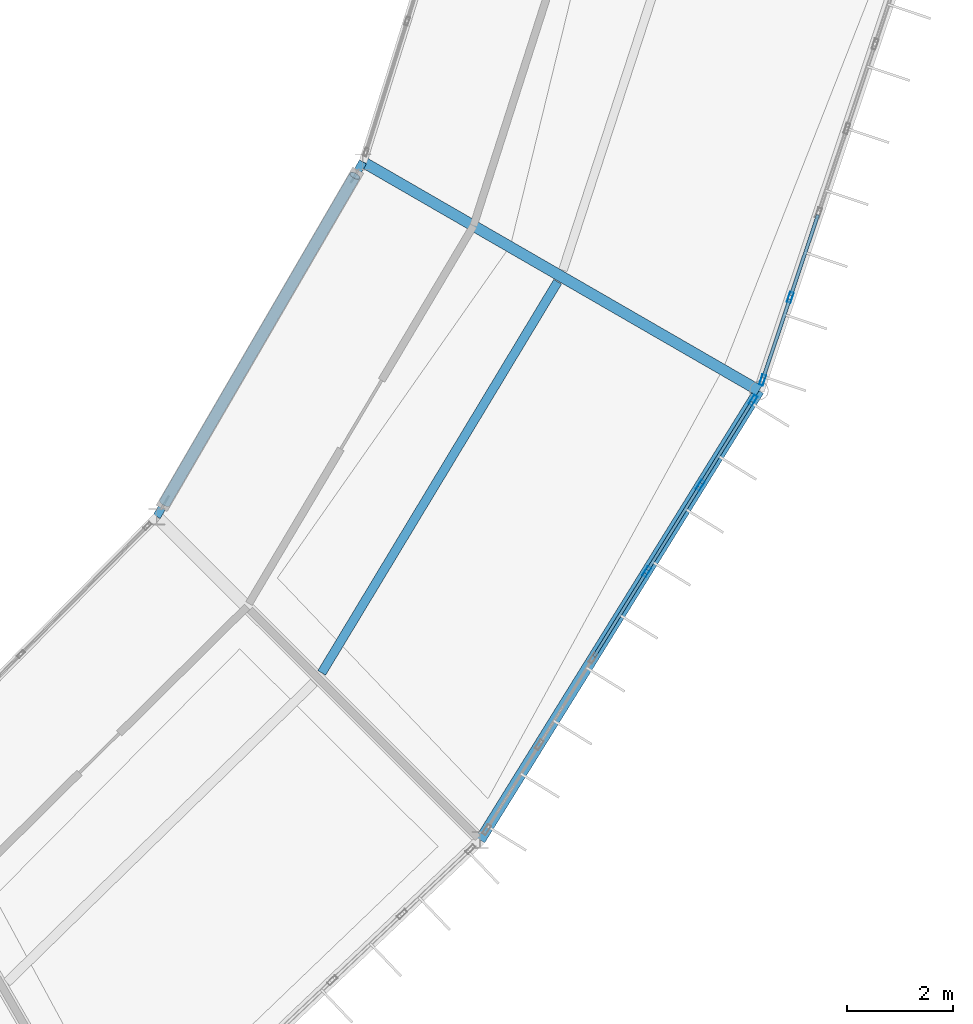
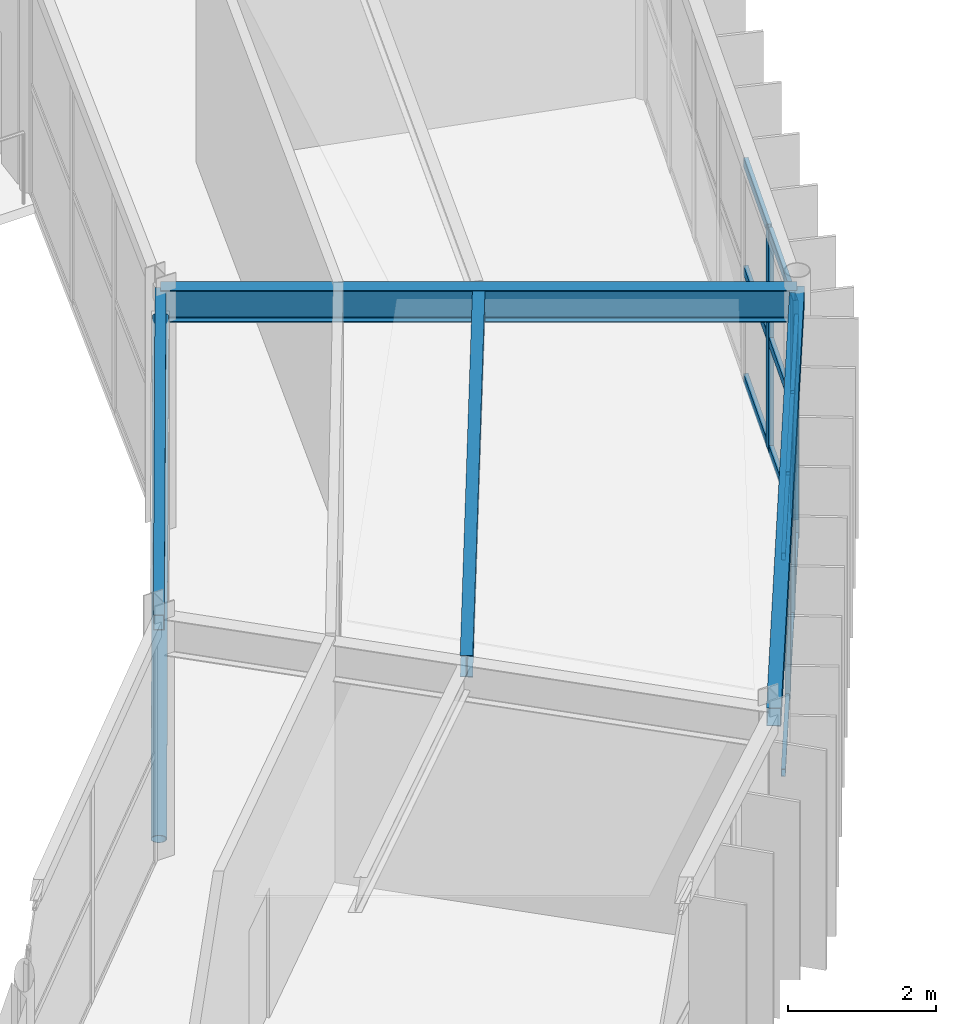
# One storey, part 53 of 147: 21 members, 4 beams, 2 elements without a shape of their own.
"""IFC4 building model written with IfcOpenShell, lengths in metres."""

from ifc_helpers import new_model, si_unit, direction, frame, origin, origin_2d, place, context, subcontext, project, spatial, hollow_rectangle, hollow_circle, i_section, extrude, material, material_profile, profile_set, type_object, element, aggregate, save


model = new_model("IFC4")

# Units and contexts
model_context = context("Model", 3, precision=1e-05, world=origin(), true_north=direction((0.0, 1.0)))
body_context = subcontext(model_context, "Body", "Model", "MODEL_VIEW")
ifc_project = project(units=[si_unit("LENGTHUNIT", "METRE"), si_unit("AREAUNIT", "SQUARE_METRE"), si_unit("VOLUMEUNIT", "CUBIC_METRE"), si_unit("PLANEANGLEUNIT", "RADIAN"), si_unit("MASSUNIT", "GRAM", prefix="KILO")], contexts=[model_context])

# Site, building, storey
site_placement = place(None, origin())
site = spatial("IfcSite", under=ifc_project, at=site_placement, CompositionType="ELEMENT")
building_placement = place(site_placement, origin())
building = spatial("IfcBuilding", under=site, at=building_placement, Name="Karori Crest Natural Sciences Institute", CompositionType="ELEMENT")
storey_placement = place(building_placement, frame((0.0, 0.0, 9.10009765625)))
storey = spatial("IfcBuildingStorey", under=building, at=storey_placement, Name="L02", CompositionType="ELEMENT", Elevation=9.10009765625)

# Beams
ifc_material_1 = material(Name="Structural steel AS/NZS 3679.1 Grade 350", Category="steel")
ifc_material_profile_1 = material_profile(ifc_material_1, i_section(OverallWidth=0.208984375, OverallDepth=0.532958984375, WebThickness=0.01025390625, FlangeThickness=0.015625, FilletRadius=0.013916015625, at=origin_2d()), Name="530UB92.4")
ifc_profile_set_1 = profile_set([ifc_material_profile_1], Name="Structural steel AS/NZS 3679.1 Grade 350")
beam_type_1 = type_object("IfcBeamType", Name="BT-05", PredefinedType="BEAM", material=ifc_profile_set_1)
beam_1_placement = place(storey_placement, frame((87.531005859375, 33.800048828125, 3.67333984375), z_axis=(0.866021068297, -0.500007509209, 0.0), x_axis=(0.500007509209, 0.866021068297, 0.0)))
element("IfcBeam", 1, at=beam_1_placement, inside=storey, type_object=beam_type_1, Name="Beam B-0356", PredefinedType="BEAM", context=body_context, shape_type="SweptSolid", body=[
    extrude(i_section(OverallWidth=0.208984375, OverallDepth=0.532958984375, WebThickness=0.01025390625, FlangeThickness=0.015625, FilletRadius=0.013916015625, at=origin_2d()), origin(), (0.0, 0.0, 1.0), 8.599853515625),
])
ifc_material_2 = material(Name="Hollow structural steel AS/NZS 1163 Grade C350", Category="steel")
ifc_material_profile_2 = material_profile(ifc_material_2, hollow_rectangle(XDim=0.199951171875, YDim=0.300048828125, WallThickness=0.010009765625, at=origin_2d()), Name="RHS300x200x10")
ifc_profile_set_2 = profile_set([ifc_material_profile_2], Name="Hollow structural steel AS/NZS 1163 Grade C350")
beam_type_2 = type_object("IfcBeamType", Name="BT-15", PredefinedType="SPANDREL", material=ifc_profile_set_2)
beam_2_placement = place(storey_placement, frame((89.734619140625, 21.050048828125, 3.789794921875), z_axis=(0.527315195609, 0.849669750244, 0.0), x_axis=(-0.849669750244, 0.527315195609, 0.0)))
element("IfcBeam", 2, at=beam_2_placement, inside=storey, type_object=beam_type_2, Name="Beam B-0350", PredefinedType="SPANDREL", context=body_context, shape_type="SweptSolid", body=[
    extrude(hollow_rectangle(XDim=0.199951171875, YDim=0.300048828125, WallThickness=0.010009765625, at=origin_2d()), origin(), (0.0, 0.0, 1.0), 9.945068359375),
])
ifc_material_profile_3 = material_profile(ifc_material_2, hollow_rectangle(XDim=0.14990234375, YDim=0.25, WallThickness=0.009033203125, at=origin_2d()), Name="RHS250x150x9")
ifc_profile_set_3 = profile_set([ifc_material_profile_3], Name="Hollow structural steel AS/NZS 1163 Grade C350")
beam_type_3 = type_object("IfcBeamType", Name="BT-16", PredefinedType="SPANDREL", material=ifc_profile_set_3)
beam_3_placement = place(storey_placement, frame((83.6533203125, 27.131103515625, 3.789794921875), z_axis=(0.502658410953, 0.864485119536, 0.0), x_axis=(-0.864485119536, 0.502658410953, 0.0)))
element("IfcBeam", 3, at=beam_3_placement, inside=storey, type_object=beam_type_3, Name="Beam B-0351", PredefinedType="SPANDREL", context=body_context, shape_type="SweptSolid", body=[
    extrude(hollow_rectangle(XDim=0.14990234375, YDim=0.25, WallThickness=0.009033203125, at=origin_2d()), origin(), (0.0, 0.0, 1.0), 7.71435546875),
])
ifc_material_profile_4 = material_profile(ifc_material_1, i_section(OverallWidth=0.1708984375, OverallDepth=0.35595703125, WebThickness=0.00732421875, FlangeThickness=0.011474609375, FilletRadius=0.010986328125, at=origin_2d()), Name="360UB50.7")
ifc_profile_set_4 = profile_set([ifc_material_profile_4], Name="Structural steel AS/NZS 3679.1 Grade 350")
beam_type_4 = type_object("IfcBeamType", Name="BT-30", PredefinedType="BEAM", material=ifc_profile_set_4)
beam_4_placement = place(storey_placement, frame((86.755859375, 24.193359375, 3.761962890625), z_axis=(0.516601017309, 0.856226248672, 0.0), x_axis=(-0.856226248672, 0.516601017309, 0.0)))
element("IfcBeam", 4, at=beam_4_placement, inside=storey, type_object=beam_type_4, Name="Beam B-0353", PredefinedType="BEAM", context=body_context, shape_type="SweptSolid", body=[
    extrude(i_section(OverallWidth=0.1708984375, OverallDepth=0.35595703125, WebThickness=0.00732421875, FlangeThickness=0.011474609375, FilletRadius=0.010986328125, at=origin_2d()), origin(), (0.0, 0.0, 1.0), 8.5888671875),
])

# Curtain wall, members
ifc_material_3 = material(Name="Anodised architectural aluminium 6063-T6", Category="aluminium")
curtain_wall_type_1 = type_object("IfcCurtainWallType", Name="CWT-02", PredefinedType="NOTDEFINED", material=ifc_material_3)
curtain_wall_1_placement = place(storey_placement, origin())
curtain_wall_1 = element("IfcCurtainWall", 5, at=curtain_wall_1_placement, inside=storey, type_object=curtain_wall_type_1, Name="Curtain wall CW-0096", PredefinedType="NOTDEFINED")
ifc_material_profile_5 = material_profile(ifc_material_3, hollow_rectangle(XDim=0.074951171875, YDim=0.199951171875, WallThickness=0.0048828125, at=origin_2d()), Name="CWM200x75x5")
ifc_profile_set_5 = profile_set([ifc_material_profile_5], Name="Anodised architectural aluminium 6063-T6")
member_type_1 = type_object("IfcMemberType", Name="CWM-02", PredefinedType="MULLION", material=ifc_profile_set_5)
member_1_placement = place(storey_placement, frame((94.8662109375, 29.31884765625, 0.0), z_axis=(0.0, 0.0, 1.0), x_axis=(0.849662102168, -0.527327518853, 0.0)))
member_1 = element("IfcMember", 6, at=member_1_placement, type_object=member_type_1, Name="CW-0096 mullion 1", PredefinedType="MULLION", context=body_context, shape_type="SweptSolid", body=[
    extrude(hollow_rectangle(XDim=0.074951171875, YDim=0.199951171875, WallThickness=0.0048828125, at=origin_2d()), origin(), (0.0, 0.0, 1.0), 3.625),
])
member_2_placement = place(storey_placement, frame((93.8759765625, 27.722900390625, 0.0), z_axis=(0.0, 0.0, 1.0), x_axis=(0.849662102168, -0.527327518853, 0.0)))
member_2 = element("IfcMember", 7, at=member_2_placement, type_object=member_type_1, Name="CW-0096 mullion 2", PredefinedType="MULLION", context=body_context, shape_type="SweptSolid", body=[
    extrude(hollow_rectangle(XDim=0.074951171875, YDim=0.199951171875, WallThickness=0.0048828125, at=origin_2d()), origin(), (0.0, 0.0, 1.0), 3.625),
])
member_3_placement = place(storey_placement, frame((92.86572265625, 26.094970703125, 0.0), z_axis=(0.0, 0.0, 1.0), x_axis=(0.849662102168, -0.527327518853, 0.0)))
member_3 = element("IfcMember", 8, at=member_3_placement, type_object=member_type_1, Name="CW-0096 mullion 3", PredefinedType="MULLION", context=body_context, shape_type="SweptSolid", body=[
    extrude(hollow_rectangle(XDim=0.074951171875, YDim=0.199951171875, WallThickness=0.0048828125, at=origin_2d()), origin(), (0.0, 0.0, 1.0), 3.625),
])

curtain_wall_type_2 = type_object("IfcCurtainWallType", Name="CWT-03", PredefinedType="NOTDEFINED", material=ifc_material_3)
curtain_wall_2_placement = place(storey_placement, origin())
curtain_wall_2 = element("IfcCurtainWall", 9, at=curtain_wall_2_placement, inside=storey, type_object=curtain_wall_type_2, Name="Curtain wall CW-0097", PredefinedType="NOTDEFINED")
member_4_placement = place(storey_placement, frame((95.56640625, 31.253662109375, 0.0), z_axis=(0.0, 0.0, 1.0), x_axis=(0.948196219586, -0.317685267462, 0.0)))
member_4 = element("IfcMember", 10, at=member_4_placement, type_object=member_type_1, Name="CW-0097 mullion 6", PredefinedType="MULLION", context=body_context, shape_type="SweptSolid", body=[
    extrude(hollow_rectangle(XDim=0.074951171875, YDim=0.199951171875, WallThickness=0.0048828125, at=origin_2d()), origin(), (0.0, 0.0, 1.0), 3.625),
])
member_5_placement = place(storey_placement, frame((95.046630859375, 29.7021484375, 0.0), z_axis=(0.0, 0.0, 1.0), x_axis=(0.948196219586, -0.317685267462, 0.0)))
member_5 = element("IfcMember", 11, at=member_5_placement, type_object=member_type_1, Name="CW-0097 mullion 7", PredefinedType="MULLION", context=body_context, shape_type="SweptSolid", body=[
    extrude(hollow_rectangle(XDim=0.074951171875, YDim=0.199951171875, WallThickness=0.0048828125, at=origin_2d()), origin(), (0.0, 0.0, 1.0), 3.625),
])

# Member
ifc_material_profile_6 = material_profile(ifc_material_3, hollow_rectangle(XDim=0.06005859375, YDim=0.1201171875, WallThickness=0.00390625, at=origin_2d()), Name="CWT120x60x4")
ifc_profile_set_6 = profile_set([ifc_material_profile_6], Name="Anodised architectural aluminium 6063-T6")
member_type_2 = type_object("IfcMemberType", Name="CWT-TR1", PredefinedType="USERDEFINED", material=ifc_profile_set_6)
member_6_placement = place(storey_placement, frame((94.846435546875, 29.286865234375, 0.02978515625), z_axis=(-0.527221301692, -0.849728014745, 0.0), x_axis=(0.849728014745, -0.527221301692, 0.0)))
member_6 = element("IfcMember", 12, at=member_6_placement, type_object=member_type_2, Name="CW-0096 transom 1.1", ObjectType="TRANSOM", PredefinedType="USERDEFINED", context=body_context, shape_type="SweptSolid", body=[
    extrude(hollow_rectangle(XDim=0.06005859375, YDim=0.1201171875, WallThickness=0.00390625, at=origin_2d()), origin(), (0.0, 0.0, 1.0), 1.80322265625),
])

member_7_placement = place(storey_placement, frame((94.846435546875, 29.286865234375, 1.8125), z_axis=(-0.527221301692, -0.849728014745, 0.0), x_axis=(0.849728014745, -0.527221301692, 0.0)))
member_7 = element("IfcMember", 13, at=member_7_placement, type_object=member_type_2, Name="CW-0096 transom 1.2", ObjectType="TRANSOM", PredefinedType="USERDEFINED", context=body_context, shape_type="SweptSolid", body=[
    extrude(hollow_rectangle(XDim=0.06005859375, YDim=0.1201171875, WallThickness=0.00390625, at=origin_2d()), origin(), (0.0, 0.0, 1.0), 1.80322265625),
])

member_8_placement = place(storey_placement, frame((94.846435546875, 29.286865234375, 3.594970703125), z_axis=(-0.527221301692, -0.849728014745, 0.0), x_axis=(0.849728014745, -0.527221301692, 0.0)))
member_8 = element("IfcMember", 14, at=member_8_placement, type_object=member_type_2, Name="CW-0096 transom 1.3", ObjectType="TRANSOM", PredefinedType="USERDEFINED", context=body_context, shape_type="SweptSolid", body=[
    extrude(hollow_rectangle(XDim=0.06005859375, YDim=0.1201171875, WallThickness=0.00390625, at=origin_2d()), origin(), (0.0, 0.0, 1.0), 1.80322265625),
])

member_9_placement = place(storey_placement, frame((93.856201171875, 27.69091796875, 0.02978515625), z_axis=(-0.527349655317, -0.84964836317, 0.0), x_axis=(0.84964836317, -0.527349655317, 0.0)))
member_9 = element("IfcMember", 15, at=member_9_placement, type_object=member_type_2, Name="CW-0096 transom 2.1", ObjectType="TRANSOM", PredefinedType="USERDEFINED", context=body_context, shape_type="SweptSolid", body=[
    extrude(hollow_rectangle(XDim=0.06005859375, YDim=0.1201171875, WallThickness=0.00390625, at=origin_2d()), origin(), (0.0, 0.0, 1.0), 1.8408203125),
])

member_10_placement = place(storey_placement, frame((93.856201171875, 27.69091796875, 1.8125), z_axis=(-0.527349655317, -0.84964836317, 0.0), x_axis=(0.84964836317, -0.527349655317, 0.0)))
member_10 = element("IfcMember", 16, at=member_10_placement, type_object=member_type_2, Name="CW-0096 transom 2.2", ObjectType="TRANSOM", PredefinedType="USERDEFINED", context=body_context, shape_type="SweptSolid", body=[
    extrude(hollow_rectangle(XDim=0.06005859375, YDim=0.1201171875, WallThickness=0.00390625, at=origin_2d()), origin(), (0.0, 0.0, 1.0), 1.8408203125),
])

member_11_placement = place(storey_placement, frame((93.856201171875, 27.69091796875, 3.594970703125), z_axis=(-0.527349655317, -0.84964836317, 0.0), x_axis=(0.84964836317, -0.527349655317, 0.0)))
member_11 = element("IfcMember", 17, at=member_11_placement, type_object=member_type_2, Name="CW-0096 transom 2.3", ObjectType="TRANSOM", PredefinedType="USERDEFINED", context=body_context, shape_type="SweptSolid", body=[
    extrude(hollow_rectangle(XDim=0.06005859375, YDim=0.1201171875, WallThickness=0.00390625, at=origin_2d()), origin(), (0.0, 0.0, 1.0), 1.8408203125),
])

member_12_placement = place(storey_placement, frame((92.845947265625, 26.063232421875, 0.02978515625), z_axis=(-0.527349655317, -0.84964836317, 0.0), x_axis=(0.84964836317, -0.527349655317, 0.0)))
member_12 = element("IfcMember", 18, at=member_12_placement, type_object=member_type_2, Name="CW-0096 transom 3.1", ObjectType="TRANSOM", PredefinedType="USERDEFINED", context=body_context, shape_type="SweptSolid", body=[
    extrude(hollow_rectangle(XDim=0.06005859375, YDim=0.1201171875, WallThickness=0.00390625, at=origin_2d()), origin(), (0.0, 0.0, 1.0), 1.8408203125),
])

member_13_placement = place(storey_placement, frame((92.845947265625, 26.063232421875, 1.8125), z_axis=(-0.527349655317, -0.84964836317, 0.0), x_axis=(0.84964836317, -0.527349655317, 0.0)))
member_13 = element("IfcMember", 19, at=member_13_placement, type_object=member_type_2, Name="CW-0096 transom 3.2", ObjectType="TRANSOM", PredefinedType="USERDEFINED", context=body_context, shape_type="SweptSolid", body=[
    extrude(hollow_rectangle(XDim=0.06005859375, YDim=0.1201171875, WallThickness=0.00390625, at=origin_2d()), origin(), (0.0, 0.0, 1.0), 1.8408203125),
])

member_14_placement = place(storey_placement, frame((92.845947265625, 26.063232421875, 3.594970703125), z_axis=(-0.527349655317, -0.84964836317, 0.0), x_axis=(0.84964836317, -0.527349655317, 0.0)))
member_14 = element("IfcMember", 20, at=member_14_placement, type_object=member_type_2, Name="CW-0096 transom 3.3", ObjectType="TRANSOM", PredefinedType="USERDEFINED", context=body_context, shape_type="SweptSolid", body=[
    extrude(hollow_rectangle(XDim=0.06005859375, YDim=0.1201171875, WallThickness=0.00390625, at=origin_2d()), origin(), (0.0, 0.0, 1.0), 1.8408203125),
])

aggregate(curtain_wall_1, [member_1, member_2, member_3, member_6, member_7, member_8, member_9, member_10, member_11, member_12, member_13, member_14])

ifc_material_profile_7 = material_profile(ifc_material_3, hollow_rectangle(XDim=0.06494140625, YDim=0.14990234375, WallThickness=0.00390625, at=origin_2d()), Name="CWT150x65x4")
ifc_profile_set_7 = profile_set([ifc_material_profile_7], Name="Anodised architectural aluminium 6063-T6")
member_type_3 = type_object("IfcMemberType", Name="CWT-TR2", PredefinedType="USERDEFINED", material=ifc_profile_set_7)
member_15_placement = place(storey_placement, frame((96.086181640625, 32.80517578125, 0.032470703125), z_axis=(-0.317784959476, -0.948162812776, 0.0), x_axis=(0.948162812776, -0.317784959476, 0.0)))
member_15 = element("IfcMember", 21, at=member_15_placement, type_object=member_type_3, Name="CW-0097 transom 5.1", ObjectType="TRANSOM", PredefinedType="USERDEFINED", context=body_context, shape_type="SweptSolid", body=[
    extrude(hollow_rectangle(XDim=0.06494140625, YDim=0.14990234375, WallThickness=0.00390625, at=origin_2d()), origin(), (0.0, 0.0, 1.0), 1.5986328125),
])

member_16_placement = place(storey_placement, frame((96.086181640625, 32.80517578125, 1.8125), z_axis=(-0.317784959476, -0.948162812776, 0.0), x_axis=(0.948162812776, -0.317784959476, 0.0)))
member_16 = element("IfcMember", 22, at=member_16_placement, type_object=member_type_3, Name="CW-0097 transom 5.2", ObjectType="TRANSOM", PredefinedType="USERDEFINED", context=body_context, shape_type="SweptSolid", body=[
    extrude(hollow_rectangle(XDim=0.06494140625, YDim=0.14990234375, WallThickness=0.00390625, at=origin_2d()), origin(), (0.0, 0.0, 1.0), 1.5986328125),
])

member_17_placement = place(storey_placement, frame((96.086181640625, 32.80517578125, 3.59228515625), z_axis=(-0.317784959476, -0.948162812776, 0.0), x_axis=(0.948162812776, -0.317784959476, 0.0)))
member_17 = element("IfcMember", 23, at=member_17_placement, type_object=member_type_3, Name="CW-0097 transom 5.3", ObjectType="TRANSOM", PredefinedType="USERDEFINED", context=body_context, shape_type="SweptSolid", body=[
    extrude(hollow_rectangle(XDim=0.06494140625, YDim=0.14990234375, WallThickness=0.00390625, at=origin_2d()), origin(), (0.0, 0.0, 1.0), 1.5986328125),
])

member_18_placement = place(storey_placement, frame((95.554443359375, 31.218017578125, 0.032470703125), z_axis=(-0.317775562464, -0.948165962214, 0.0), x_axis=(0.948165962214, -0.317775562464, 0.0)))
member_18 = element("IfcMember", 24, at=member_18_placement, type_object=member_type_3, Name="CW-0097 transom 6.1", ObjectType="TRANSOM", PredefinedType="USERDEFINED", context=body_context, shape_type="SweptSolid", body=[
    extrude(hollow_rectangle(XDim=0.06494140625, YDim=0.14990234375, WallThickness=0.00390625, at=origin_2d()), origin(), (0.0, 0.0, 1.0), 1.56103515625),
])

member_19_placement = place(storey_placement, frame((95.554443359375, 31.218017578125, 1.8125), z_axis=(-0.317775562464, -0.948165962214, 0.0), x_axis=(0.948165962214, -0.317775562464, 0.0)))
member_19 = element("IfcMember", 25, at=member_19_placement, type_object=member_type_3, Name="CW-0097 transom 6.2", ObjectType="TRANSOM", PredefinedType="USERDEFINED", context=body_context, shape_type="SweptSolid", body=[
    extrude(hollow_rectangle(XDim=0.06494140625, YDim=0.14990234375, WallThickness=0.00390625, at=origin_2d()), origin(), (0.0, 0.0, 1.0), 1.56103515625),
])

member_20_placement = place(storey_placement, frame((95.554443359375, 31.218017578125, 3.59228515625), z_axis=(-0.317775562464, -0.948165962214, 0.0), x_axis=(0.948165962214, -0.317775562464, 0.0)))
member_20 = element("IfcMember", 26, at=member_20_placement, type_object=member_type_3, Name="CW-0097 transom 6.3", ObjectType="TRANSOM", PredefinedType="USERDEFINED", context=body_context, shape_type="SweptSolid", body=[
    extrude(hollow_rectangle(XDim=0.06494140625, YDim=0.14990234375, WallThickness=0.00390625, at=origin_2d()), origin(), (0.0, 0.0, 1.0), 1.56103515625),
])

aggregate(curtain_wall_2, [member_4, member_5, member_15, member_16, member_17, member_18, member_19, member_20])

ifc_material_profile_8 = material_profile(ifc_material_2, hollow_circle(Radius=0.109619140625, WallThickness=0.00830078125, at=origin_2d()), Name="CHS219.1x8.2")
ifc_profile_set_8 = profile_set([ifc_material_profile_8], Name="Hollow structural steel AS/NZS 1163 Grade C350")
member_type_4 = type_object("IfcMemberType", Name="MT-02", PredefinedType="BRACE", material=ifc_profile_set_8)
member_21_placement = place(storey_placement, frame((83.80419921875, 27.390380859375, 0.010009765625), z_axis=(0.447468818063, 0.769620704899, 0.455472971155), x_axis=(-0.864499904405, 0.502632982686, 0.0)))
element("IfcMember", 27, at=member_21_placement, inside=storey, type_object=member_type_4, Name="Diagonal Brace M-0016", PredefinedType="BRACE", context=body_context, shape_type="SweptSolid", body=[
    extrude(hollow_circle(Radius=0.109619140625, WallThickness=0.00830078125, at=origin_2d()), origin(), (0.0, 0.0, 1.0), 7.991455078125),
])

save(model, "model.ifc")
